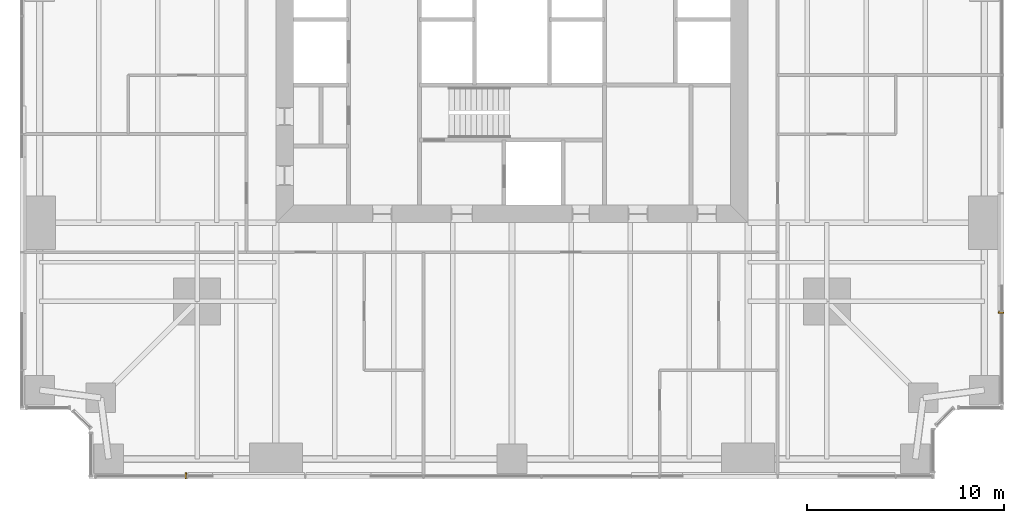
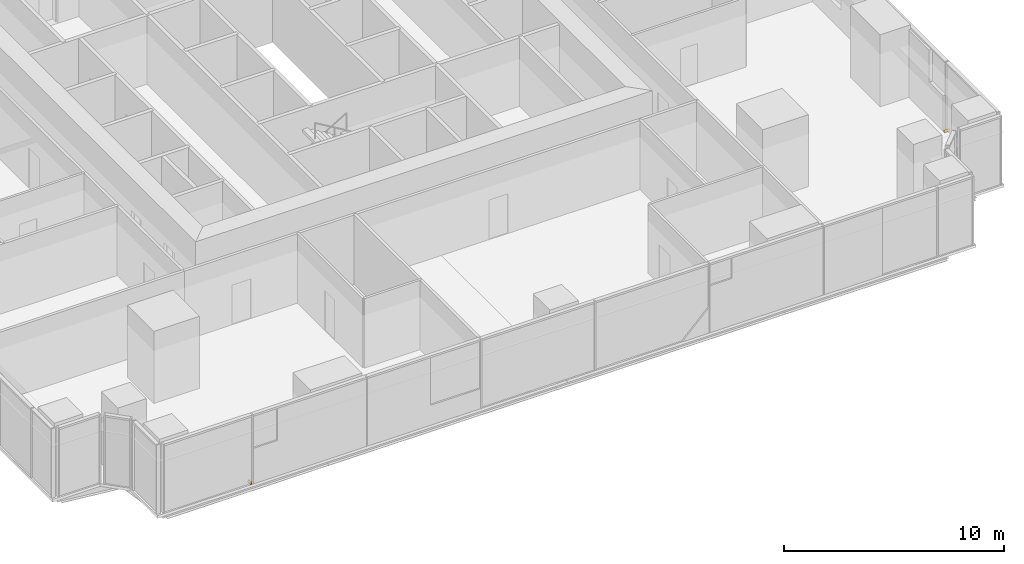
# One storey, part 14 of 15: 2 coverings.
"""IFC4 building model written with IfcOpenShell, lengths in metres."""

from ifc_helpers import new_model, si_unit, direction, frame, origin, place, context, subcontext, project, spatial, polyline, outline, extrude, material, layer, layer_set, type_object, element, save


model = new_model("IFC4")

# Units and contexts
model_context = context("Model", 3, precision=1e-05, world=origin(), true_north=direction((0.0, 1.0)))
body_context = subcontext(model_context, "Body", "Model", "MODEL_VIEW")
ifc_project = project(units=[si_unit("LENGTHUNIT", "METRE"), si_unit("AREAUNIT", "SQUARE_METRE"), si_unit("VOLUMEUNIT", "CUBIC_METRE"), si_unit("PLANEANGLEUNIT", "RADIAN"), si_unit("MASSUNIT", "GRAM", prefix="KILO")], contexts=[model_context])

# Site, building, storey
site_placement = place(None, origin())
site = spatial("IfcSite", under=ifc_project, at=site_placement, CompositionType="ELEMENT")
building_placement = place(site_placement, origin())
building = spatial("IfcBuilding", under=site, at=building_placement, Name="Fenwick Lantern Interchange", CompositionType="ELEMENT")
storey_placement = place(building_placement, frame((0.0, 0.0, 51.0)))
storey = spatial("IfcBuildingStorey", under=building, at=storey_placement, Name="L11", CompositionType="ELEMENT", Elevation=51.0)

# Coverings
ifc_material = material(Name="Granite cladding, warm grey flamed finish, on aluminium carrier frame", Category="masonry")
ifc_layer = layer(ifc_material, 0.300048828125)
ifc_layer_set = layer_set([ifc_layer], Name="BRACE CASING PANEL 300")
covering_type = type_object("IfcCoveringType", Name="BRACE CASING PANEL 300", PredefinedType="CLADDING", material=ifc_layer_set)
for number, where, z_axis, x_axis, name in (
    (1, (3.60009765625, 0.10009765625, 0.0), (0.0, 0.0, 1.0), (1.0, 0.0, 0.0), "Brace casing 01 bay 00a"),
    (2, (49.89990234375, 3.60009765625, 0.0), (0.0, 0.0, 1.0), (0.0, 1.0, 0.0), "Brace casing 05 bay 00a"),
):
    element("IfcCovering", number, at=place(storey_placement, frame(where, z_axis=z_axis, x_axis=x_axis)), inside=storey, type_object=covering_type, Name=name, PredefinedType="CLADDING", context=body_context, shape_type="SweptSolid", body=[
        extrude(outline(polyline([(4.7900390625, 0.0), (4.867431640625, 0.0), (4.867431640625, 0.109375), (4.7900390625, 0.0)])), frame((0.0, 0.2001953125, 0.0), z_axis=(0.0, -1.0, 0.0), x_axis=(1.0, 0.0, 0.0)), (0.0, 0.0, 1.0), 0.300048828125),
    ])

save(model, "model.ifc")
